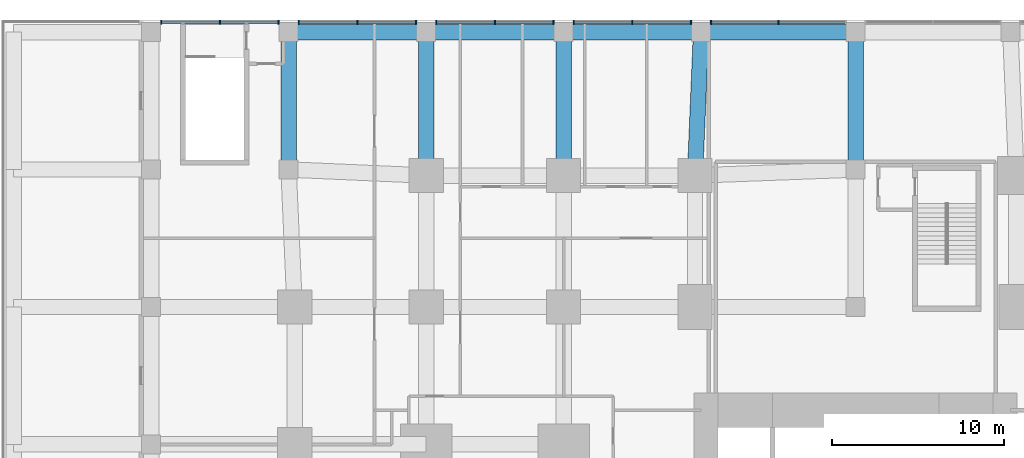
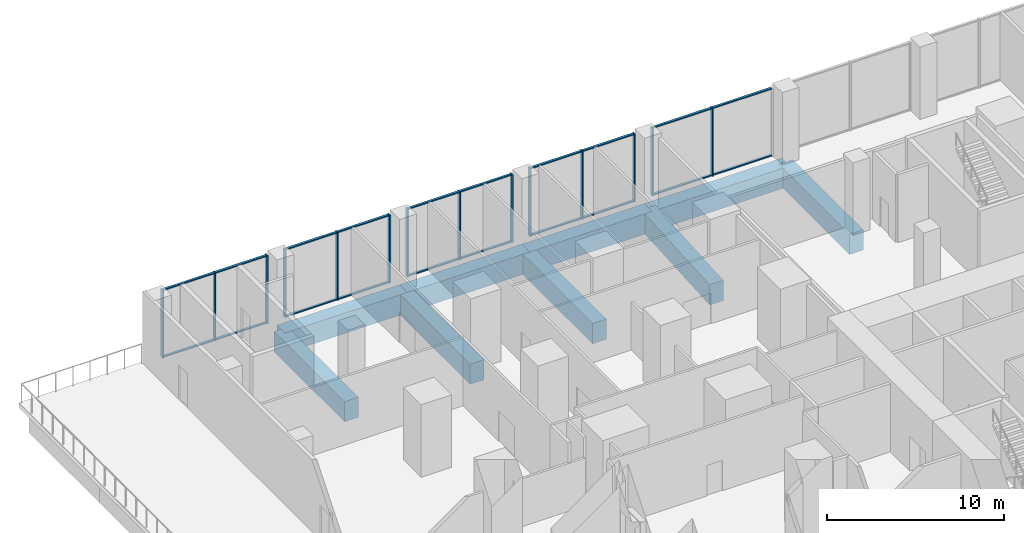
# One storey, part 3 of 19: 34 members, 9 beams, 5 elements without a shape of their own.
"""IFC4 building model written with IfcOpenShell, lengths in metres."""

from ifc_helpers import new_model, si_unit, direction, frame, origin, origin_2d, place, context, subcontext, project, spatial, rectangle, extrude, material, layer, layer_set, material_profile, profile_set, type_object, element, aggregate, save


model = new_model("IFC4")

# Units and contexts
model_context = context("Model", 3, precision=1e-05, world=origin(), true_north=direction((0.0, 1.0)))
body_context = subcontext(model_context, "Body", "Model", "MODEL_VIEW")
ifc_project = project(units=[si_unit("LENGTHUNIT", "METRE"), si_unit("AREAUNIT", "SQUARE_METRE"), si_unit("VOLUMEUNIT", "CUBIC_METRE"), si_unit("PLANEANGLEUNIT", "RADIAN"), si_unit("MASSUNIT", "GRAM", prefix="KILO")], contexts=[model_context])

# Site, building, storey
site_placement = place(None, origin())
site = spatial("IfcSite", under=ifc_project, at=site_placement, CompositionType="ELEMENT")
building_placement = place(site_placement, origin())
building = spatial("IfcBuilding", under=site, at=building_placement, Name="Cleftline Residences", CompositionType="ELEMENT")
storey_placement = place(building_placement, frame((0.0, 0.0, 11.0)))
storey = spatial("IfcBuildingStorey", under=building, at=storey_placement, Name="L02", CompositionType="ELEMENT", Elevation=11.0)

# Beams
ifc_material_1 = material(Name="Concrete B45", Category="concrete")
ifc_material_profile_1 = material_profile(ifc_material_1, rectangle(XDim=0.89990234375, YDim=1.39990234375, at=origin_2d()))
ifc_profile_set_1 = profile_set([ifc_material_profile_1], Name="Concrete B45")
beam_type = type_object("IfcBeamType", Name="BEAM RC900X1400", PredefinedType="BEAM", material=ifc_profile_set_1)
for number, where, z_axis, x_axis, name in (
    (1, (0.0, 56.0, -1.0), (1.0, 0.0, 0.0), (0.0, 1.0, 0.0), "Podium beam"),
    (2, (8.0, 56.0, -1.0), (1.0, 0.0, 0.0), (0.0, 1.0, 0.0), "Podium beam"),
    (3, (16.0, 56.0, -1.0), (1.0, 0.0, 0.0), (0.0, 1.0, 0.0), "Podium beam"),
):
    element("IfcBeam", number, at=place(storey_placement, frame(where, z_axis=z_axis, x_axis=x_axis)), inside=storey, type_object=beam_type, Name=name, PredefinedType="BEAM", context=body_context, shape_type="SweptSolid", body=[
        extrude(rectangle(XDim=0.89990234375, YDim=1.39990234375, at=origin_2d()), origin(), (0.0, 0.0, 1.0), 8.0),
    ])
beam_1_placement = place(storey_placement, frame((24.0, 56.0, -1.0), z_axis=(1.0, 0.0, 0.0), x_axis=(0.0, 1.0, 0.0)))
element("IfcBeam", 4, at=beam_1_placement, inside=storey, type_object=beam_type, Name="Podium beam", PredefinedType="BEAM", context=body_context, shape_type="SweptSolid", body=[
    extrude(rectangle(XDim=0.89990234375, YDim=1.39990234375, at=origin_2d()), origin(), (0.0, 0.0, 1.0), 9.0),
])
beam_2_placement = place(storey_placement, frame((0.0, 48.0, -1.0), z_axis=(0.0, 1.0, 0.0), x_axis=(-1.0, 0.0, 0.0)))
element("IfcBeam", 5, at=beam_2_placement, inside=storey, type_object=beam_type, Name="Podium beam", PredefinedType="BEAM", context=body_context, shape_type="SweptSolid", body=[
    extrude(rectangle(XDim=0.89990234375, YDim=1.39990234375, at=origin_2d()), origin(), (0.0, 0.0, 1.0), 8.0),
])
for number, where, z_axis, x_axis, name in (
    (6, (8.0, 47.64990234375, -1.0), (0.0, 1.0, 0.0), (-1.0, 0.0, 0.0), "Podium beam"),
    (7, (16.0, 47.64990234375, -1.0), (0.0, 1.0, 0.0), (-1.0, 0.0, 0.0), "Podium beam"),
):
    element("IfcBeam", number, at=place(storey_placement, frame(where, z_axis=z_axis, x_axis=x_axis)), inside=storey, type_object=beam_type, Name=name, PredefinedType="BEAM", context=body_context, shape_type="SweptSolid", body=[
        extrude(rectangle(XDim=0.89990234375, YDim=1.39990234375, at=origin_2d()), origin(), (0.0, 0.0, 1.0), 8.35009765625),
    ])
beam_3_placement = place(storey_placement, frame((23.64990234375, 47.64990234375, -1.0), z_axis=(0.041890569024, 0.999122204851, 0.0), x_axis=(-0.999122204851, 0.041890569024, 0.0)))
element("IfcBeam", 8, at=beam_3_placement, inside=storey, type_object=beam_type, Name="Podium beam", PredefinedType="BEAM", context=body_context, shape_type="SweptSolid", body=[
    extrude(rectangle(XDim=0.89990234375, YDim=1.39990234375, at=origin_2d()), origin(), (0.0, 0.0, 1.0), 8.357421875),
])
beam_4_placement = place(storey_placement, frame((33.0, 48.0, -1.0), z_axis=(0.0, 1.0, 0.0), x_axis=(-1.0, 0.0, 0.0)))
element("IfcBeam", 9, at=beam_4_placement, inside=storey, type_object=beam_type, Name="Podium beam", PredefinedType="BEAM", context=body_context, shape_type="SweptSolid", body=[
    extrude(rectangle(XDim=0.89990234375, YDim=1.39990234375, at=origin_2d()), origin(), (0.0, 0.0, 1.0), 8.0),
])

# Curtain wall, members
ifc_material_2 = material(Name="Aluminium framed curtain wall", Category="aluminium")
ifc_layer = layer(ifc_material_2, 0.199951171875)
ifc_layer_set = layer_set([ifc_layer], Name="CW2 PODIUM GLAZING")
curtain_wall_type = type_object("IfcCurtainWallType", Name="CW2 PODIUM GLAZING", PredefinedType="NOTDEFINED", material=ifc_layer_set)
curtain_wall_1_placement = place(storey_placement, origin())
curtain_wall_1 = element("IfcCurtainWall", 10, at=curtain_wall_1_placement, inside=storey, type_object=curtain_wall_type, Name="Curtain wall CW2", PredefinedType="NOTDEFINED")
ifc_material_3 = material(Name="Aluminium mullion", Category="aluminium")
ifc_material_profile_2 = material_profile(ifc_material_3, rectangle(XDim=0.25, YDim=0.080078125, at=origin_2d()))
ifc_profile_set_2 = profile_set([ifc_material_profile_2], Name="Aluminium mullion")
member_type_1 = type_object("IfcMemberType", Name="CW2 MULLION", PredefinedType="MULLION", material=ifc_profile_set_2)
member_1_placement = place(storey_placement, frame((28.5, 56.574951171875, 0.0), z_axis=(0.0, 0.0, 1.0), x_axis=(0.0, -1.0, 0.0)))
member_1 = element("IfcMember", 11, at=member_1_placement, type_object=member_type_1, Name="CW2 mullion 2", PredefinedType="MULLION", context=body_context, shape_type="SweptSolid", body=[
    extrude(rectangle(XDim=0.25, YDim=0.080078125, at=origin_2d()), origin(), (0.0, 0.0, 1.0), 4.699951171875),
])
member_2_placement = place(storey_placement, frame((24.590087890625, 56.574951171875, 0.0), z_axis=(0.0, 0.0, 1.0), x_axis=(0.0, -1.0, 0.0)))
member_2 = element("IfcMember", 12, at=member_2_placement, type_object=member_type_1, Name="CW2 mullion 3", PredefinedType="MULLION", context=body_context, shape_type="SweptSolid", body=[
    extrude(rectangle(XDim=0.25, YDim=0.080078125, at=origin_2d()), origin(), (0.0, 0.0, 1.0), 4.699951171875),
])

curtain_wall_2_placement = place(storey_placement, origin())
curtain_wall_2 = element("IfcCurtainWall", 13, at=curtain_wall_2_placement, inside=storey, type_object=curtain_wall_type, Name="Curtain wall CW2", PredefinedType="NOTDEFINED")
member_3_placement = place(storey_placement, frame((23.409912109375, 56.574951171875, 0.0), z_axis=(0.0, 0.0, 1.0), x_axis=(0.0, -1.0, 0.0)))
member_3 = element("IfcMember", 14, at=member_3_placement, type_object=member_type_1, Name="CW2 mullion 1", PredefinedType="MULLION", context=body_context, shape_type="SweptSolid", body=[
    extrude(rectangle(XDim=0.25, YDim=0.080078125, at=origin_2d()), origin(), (0.0, 0.0, 1.0), 4.699951171875),
])
member_4_placement = place(storey_placement, frame((20.0, 56.574951171875, 0.0), z_axis=(0.0, 0.0, 1.0), x_axis=(0.0, -1.0, 0.0)))
member_4 = element("IfcMember", 15, at=member_4_placement, type_object=member_type_1, Name="CW2 mullion 2", PredefinedType="MULLION", context=body_context, shape_type="SweptSolid", body=[
    extrude(rectangle(XDim=0.25, YDim=0.080078125, at=origin_2d()), origin(), (0.0, 0.0, 1.0), 4.699951171875),
])
member_5_placement = place(storey_placement, frame((16.590087890625, 56.574951171875, 0.0), z_axis=(0.0, 0.0, 1.0), x_axis=(0.0, -1.0, 0.0)))
member_5 = element("IfcMember", 16, at=member_5_placement, type_object=member_type_1, Name="CW2 mullion 3", PredefinedType="MULLION", context=body_context, shape_type="SweptSolid", body=[
    extrude(rectangle(XDim=0.25, YDim=0.080078125, at=origin_2d()), origin(), (0.0, 0.0, 1.0), 4.699951171875),
])

curtain_wall_3_placement = place(storey_placement, origin())
curtain_wall_3 = element("IfcCurtainWall", 17, at=curtain_wall_3_placement, inside=storey, type_object=curtain_wall_type, Name="Curtain wall CW2", PredefinedType="NOTDEFINED")
member_6_placement = place(storey_placement, frame((15.409912109375, 56.574951171875, 0.0), z_axis=(0.0, 0.0, 1.0), x_axis=(0.0, -1.0, 0.0)))
member_6 = element("IfcMember", 18, at=member_6_placement, type_object=member_type_1, Name="CW2 mullion 1", PredefinedType="MULLION", context=body_context, shape_type="SweptSolid", body=[
    extrude(rectangle(XDim=0.25, YDim=0.080078125, at=origin_2d()), origin(), (0.0, 0.0, 1.0), 4.699951171875),
])
member_7_placement = place(storey_placement, frame((12.0, 56.574951171875, 0.0), z_axis=(0.0, 0.0, 1.0), x_axis=(0.0, -1.0, 0.0)))
member_7 = element("IfcMember", 19, at=member_7_placement, type_object=member_type_1, Name="CW2 mullion 2", PredefinedType="MULLION", context=body_context, shape_type="SweptSolid", body=[
    extrude(rectangle(XDim=0.25, YDim=0.080078125, at=origin_2d()), origin(), (0.0, 0.0, 1.0), 4.699951171875),
])
member_8_placement = place(storey_placement, frame((8.590087890625, 56.574951171875, 0.0), z_axis=(0.0, 0.0, 1.0), x_axis=(0.0, -1.0, 0.0)))
member_8 = element("IfcMember", 20, at=member_8_placement, type_object=member_type_1, Name="CW2 mullion 3", PredefinedType="MULLION", context=body_context, shape_type="SweptSolid", body=[
    extrude(rectangle(XDim=0.25, YDim=0.080078125, at=origin_2d()), origin(), (0.0, 0.0, 1.0), 4.699951171875),
])

curtain_wall_4_placement = place(storey_placement, origin())
curtain_wall_4 = element("IfcCurtainWall", 21, at=curtain_wall_4_placement, inside=storey, type_object=curtain_wall_type, Name="Curtain wall CW2", PredefinedType="NOTDEFINED")
member_9_placement = place(storey_placement, frame((7.409912109375, 56.574951171875, 0.0), z_axis=(0.0, 0.0, 1.0), x_axis=(0.0, -1.0, 0.0)))
member_9 = element("IfcMember", 22, at=member_9_placement, type_object=member_type_1, Name="CW2 mullion 1", PredefinedType="MULLION", context=body_context, shape_type="SweptSolid", body=[
    extrude(rectangle(XDim=0.25, YDim=0.080078125, at=origin_2d()), origin(), (0.0, 0.0, 1.0), 4.699951171875),
])
member_10_placement = place(storey_placement, frame((4.0, 56.574951171875, 0.0), z_axis=(0.0, 0.0, 1.0), x_axis=(0.0, -1.0, 0.0)))
member_10 = element("IfcMember", 23, at=member_10_placement, type_object=member_type_1, Name="CW2 mullion 2", PredefinedType="MULLION", context=body_context, shape_type="SweptSolid", body=[
    extrude(rectangle(XDim=0.25, YDim=0.080078125, at=origin_2d()), origin(), (0.0, 0.0, 1.0), 4.699951171875),
])
member_11_placement = place(storey_placement, frame((0.590087890625, 56.574951171875, 0.0), z_axis=(0.0, 0.0, 1.0), x_axis=(0.0, -1.0, 0.0)))
member_11 = element("IfcMember", 24, at=member_11_placement, type_object=member_type_1, Name="CW2 mullion 3", PredefinedType="MULLION", context=body_context, shape_type="SweptSolid", body=[
    extrude(rectangle(XDim=0.25, YDim=0.080078125, at=origin_2d()), origin(), (0.0, 0.0, 1.0), 4.699951171875),
])

curtain_wall_5_placement = place(storey_placement, origin())
curtain_wall_5 = element("IfcCurtainWall", 25, at=curtain_wall_5_placement, inside=storey, type_object=curtain_wall_type, Name="Curtain wall CW2", PredefinedType="NOTDEFINED")
member_12_placement = place(storey_placement, frame((-0.590087890625, 56.574951171875, 0.0), z_axis=(0.0, 0.0, 1.0), x_axis=(0.0, -1.0, 0.0)))
member_12 = element("IfcMember", 26, at=member_12_placement, type_object=member_type_1, Name="CW2 mullion 1", PredefinedType="MULLION", context=body_context, shape_type="SweptSolid", body=[
    extrude(rectangle(XDim=0.25, YDim=0.080078125, at=origin_2d()), origin(), (0.0, 0.0, 1.0), 4.699951171875),
])
member_13_placement = place(storey_placement, frame((-4.0, 56.574951171875, 0.0), z_axis=(0.0, 0.0, 1.0), x_axis=(0.0, -1.0, 0.0)))
member_13 = element("IfcMember", 27, at=member_13_placement, type_object=member_type_1, Name="CW2 mullion 2", PredefinedType="MULLION", context=body_context, shape_type="SweptSolid", body=[
    extrude(rectangle(XDim=0.25, YDim=0.080078125, at=origin_2d()), origin(), (0.0, 0.0, 1.0), 4.699951171875),
])
member_14_placement = place(storey_placement, frame((-7.409912109375, 56.574951171875, 0.0), z_axis=(0.0, 0.0, 1.0), x_axis=(0.0, -1.0, 0.0)))
member_14 = element("IfcMember", 28, at=member_14_placement, type_object=member_type_1, Name="CW2 mullion 3", PredefinedType="MULLION", context=body_context, shape_type="SweptSolid", body=[
    extrude(rectangle(XDim=0.25, YDim=0.080078125, at=origin_2d()), origin(), (0.0, 0.0, 1.0), 4.699951171875),
])

# Member
ifc_material_4 = material(Name="Aluminium transom", Category="aluminium")
ifc_material_profile_3 = material_profile(ifc_material_4, rectangle(XDim=0.14990234375, YDim=0.080078125, at=origin_2d()))
ifc_profile_set_3 = profile_set([ifc_material_profile_3], Name="Aluminium transom")
member_type_2 = type_object("IfcMemberType", Name="CW2 TRANSOM", PredefinedType="USERDEFINED", material=ifc_profile_set_3)
member_15_placement = place(storey_placement, frame((32.3701171875, 56.574951171875, 0.0400390625), z_axis=(-1.0, 0.0, 0.0), x_axis=(0.0, -1.0, 0.0)))
member_15 = element("IfcMember", 29, at=member_15_placement, type_object=member_type_2, Name="CW2 transom 1.1", ObjectType="TRANSOM", PredefinedType="USERDEFINED", context=body_context, shape_type="SweptSolid", body=[
    extrude(rectangle(XDim=0.14990234375, YDim=0.080078125, at=origin_2d()), origin(), (0.0, 0.0, 1.0), 3.830078125),
])

member_16_placement = place(storey_placement, frame((32.3701171875, 56.574951171875, 4.659912109375), z_axis=(-1.0, 0.0, 0.0), x_axis=(0.0, -1.0, 0.0)))
member_16 = element("IfcMember", 30, at=member_16_placement, type_object=member_type_2, Name="CW2 transom 1.2", ObjectType="TRANSOM", PredefinedType="USERDEFINED", context=body_context, shape_type="SweptSolid", body=[
    extrude(rectangle(XDim=0.14990234375, YDim=0.080078125, at=origin_2d()), origin(), (0.0, 0.0, 1.0), 3.830078125),
])

member_17_placement = place(storey_placement, frame((28.4599609375, 56.574951171875, 0.0400390625), z_axis=(-1.0, 0.0, 0.0), x_axis=(0.0, -1.0, 0.0)))
member_17 = element("IfcMember", 31, at=member_17_placement, type_object=member_type_2, Name="CW2 transom 2.1", ObjectType="TRANSOM", PredefinedType="USERDEFINED", context=body_context, shape_type="SweptSolid", body=[
    extrude(rectangle(XDim=0.14990234375, YDim=0.080078125, at=origin_2d()), origin(), (0.0, 0.0, 1.0), 3.830078125),
])

member_18_placement = place(storey_placement, frame((28.4599609375, 56.574951171875, 4.659912109375), z_axis=(-1.0, 0.0, 0.0), x_axis=(0.0, -1.0, 0.0)))
member_18 = element("IfcMember", 32, at=member_18_placement, type_object=member_type_2, Name="CW2 transom 2.2", ObjectType="TRANSOM", PredefinedType="USERDEFINED", context=body_context, shape_type="SweptSolid", body=[
    extrude(rectangle(XDim=0.14990234375, YDim=0.080078125, at=origin_2d()), origin(), (0.0, 0.0, 1.0), 3.830078125),
])

aggregate(curtain_wall_1, [member_1, member_2, member_15, member_16, member_17, member_18])

member_19_placement = place(storey_placement, frame((23.3701171875, 56.574951171875, 0.0400390625), z_axis=(-1.0, 0.0, 0.0), x_axis=(0.0, -1.0, 0.0)))
member_19 = element("IfcMember", 33, at=member_19_placement, type_object=member_type_2, Name="CW2 transom 1.1", ObjectType="TRANSOM", PredefinedType="USERDEFINED", context=body_context, shape_type="SweptSolid", body=[
    extrude(rectangle(XDim=0.14990234375, YDim=0.080078125, at=origin_2d()), origin(), (0.0, 0.0, 1.0), 3.330078125),
])

member_20_placement = place(storey_placement, frame((23.3701171875, 56.574951171875, 4.659912109375), z_axis=(-1.0, 0.0, 0.0), x_axis=(0.0, -1.0, 0.0)))
member_20 = element("IfcMember", 34, at=member_20_placement, type_object=member_type_2, Name="CW2 transom 1.2", ObjectType="TRANSOM", PredefinedType="USERDEFINED", context=body_context, shape_type="SweptSolid", body=[
    extrude(rectangle(XDim=0.14990234375, YDim=0.080078125, at=origin_2d()), origin(), (0.0, 0.0, 1.0), 3.330078125),
])

member_21_placement = place(storey_placement, frame((19.9599609375, 56.574951171875, 0.0400390625), z_axis=(-1.0, 0.0, 0.0), x_axis=(0.0, -1.0, 0.0)))
member_21 = element("IfcMember", 35, at=member_21_placement, type_object=member_type_2, Name="CW2 transom 2.1", ObjectType="TRANSOM", PredefinedType="USERDEFINED", context=body_context, shape_type="SweptSolid", body=[
    extrude(rectangle(XDim=0.14990234375, YDim=0.080078125, at=origin_2d()), origin(), (0.0, 0.0, 1.0), 3.330078125),
])

member_22_placement = place(storey_placement, frame((19.9599609375, 56.574951171875, 4.659912109375), z_axis=(-1.0, 0.0, 0.0), x_axis=(0.0, -1.0, 0.0)))
member_22 = element("IfcMember", 36, at=member_22_placement, type_object=member_type_2, Name="CW2 transom 2.2", ObjectType="TRANSOM", PredefinedType="USERDEFINED", context=body_context, shape_type="SweptSolid", body=[
    extrude(rectangle(XDim=0.14990234375, YDim=0.080078125, at=origin_2d()), origin(), (0.0, 0.0, 1.0), 3.330078125),
])

aggregate(curtain_wall_2, [member_3, member_4, member_5, member_19, member_20, member_21, member_22])

member_23_placement = place(storey_placement, frame((15.3701171875, 56.574951171875, 0.0400390625), z_axis=(-1.0, 0.0, 0.0), x_axis=(0.0, -1.0, 0.0)))
member_23 = element("IfcMember", 37, at=member_23_placement, type_object=member_type_2, Name="CW2 transom 1.1", ObjectType="TRANSOM", PredefinedType="USERDEFINED", context=body_context, shape_type="SweptSolid", body=[
    extrude(rectangle(XDim=0.14990234375, YDim=0.080078125, at=origin_2d()), origin(), (0.0, 0.0, 1.0), 3.330078125),
])

member_24_placement = place(storey_placement, frame((15.3701171875, 56.574951171875, 4.659912109375), z_axis=(-1.0, 0.0, 0.0), x_axis=(0.0, -1.0, 0.0)))
member_24 = element("IfcMember", 38, at=member_24_placement, type_object=member_type_2, Name="CW2 transom 1.2", ObjectType="TRANSOM", PredefinedType="USERDEFINED", context=body_context, shape_type="SweptSolid", body=[
    extrude(rectangle(XDim=0.14990234375, YDim=0.080078125, at=origin_2d()), origin(), (0.0, 0.0, 1.0), 3.330078125),
])

member_25_placement = place(storey_placement, frame((11.9599609375, 56.574951171875, 0.0400390625), z_axis=(-1.0, 0.0, 0.0), x_axis=(0.0, -1.0, 0.0)))
member_25 = element("IfcMember", 39, at=member_25_placement, type_object=member_type_2, Name="CW2 transom 2.1", ObjectType="TRANSOM", PredefinedType="USERDEFINED", context=body_context, shape_type="SweptSolid", body=[
    extrude(rectangle(XDim=0.14990234375, YDim=0.080078125, at=origin_2d()), origin(), (0.0, 0.0, 1.0), 3.330078125),
])

member_26_placement = place(storey_placement, frame((11.9599609375, 56.574951171875, 4.659912109375), z_axis=(-1.0, 0.0, 0.0), x_axis=(0.0, -1.0, 0.0)))
member_26 = element("IfcMember", 40, at=member_26_placement, type_object=member_type_2, Name="CW2 transom 2.2", ObjectType="TRANSOM", PredefinedType="USERDEFINED", context=body_context, shape_type="SweptSolid", body=[
    extrude(rectangle(XDim=0.14990234375, YDim=0.080078125, at=origin_2d()), origin(), (0.0, 0.0, 1.0), 3.330078125),
])

aggregate(curtain_wall_3, [member_6, member_7, member_8, member_23, member_24, member_25, member_26])

member_27_placement = place(storey_placement, frame((7.3701171875, 56.574951171875, 0.0400390625), z_axis=(-1.0, 0.0, 0.0), x_axis=(0.0, -1.0, 0.0)))
member_27 = element("IfcMember", 41, at=member_27_placement, type_object=member_type_2, Name="CW2 transom 1.1", ObjectType="TRANSOM", PredefinedType="USERDEFINED", context=body_context, shape_type="SweptSolid", body=[
    extrude(rectangle(XDim=0.14990234375, YDim=0.080078125, at=origin_2d()), origin(), (0.0, 0.0, 1.0), 3.330078125),
])

member_28_placement = place(storey_placement, frame((7.3701171875, 56.574951171875, 4.659912109375), z_axis=(-1.0, 0.0, 0.0), x_axis=(0.0, -1.0, 0.0)))
member_28 = element("IfcMember", 42, at=member_28_placement, type_object=member_type_2, Name="CW2 transom 1.2", ObjectType="TRANSOM", PredefinedType="USERDEFINED", context=body_context, shape_type="SweptSolid", body=[
    extrude(rectangle(XDim=0.14990234375, YDim=0.080078125, at=origin_2d()), origin(), (0.0, 0.0, 1.0), 3.330078125),
])

member_29_placement = place(storey_placement, frame((3.9599609375, 56.574951171875, 0.0400390625), z_axis=(-1.0, 0.0, 0.0), x_axis=(0.0, -1.0, 0.0)))
member_29 = element("IfcMember", 43, at=member_29_placement, type_object=member_type_2, Name="CW2 transom 2.1", ObjectType="TRANSOM", PredefinedType="USERDEFINED", context=body_context, shape_type="SweptSolid", body=[
    extrude(rectangle(XDim=0.14990234375, YDim=0.080078125, at=origin_2d()), origin(), (0.0, 0.0, 1.0), 3.330078125),
])

member_30_placement = place(storey_placement, frame((3.9599609375, 56.574951171875, 4.659912109375), z_axis=(-1.0, 0.0, 0.0), x_axis=(0.0, -1.0, 0.0)))
member_30 = element("IfcMember", 44, at=member_30_placement, type_object=member_type_2, Name="CW2 transom 2.2", ObjectType="TRANSOM", PredefinedType="USERDEFINED", context=body_context, shape_type="SweptSolid", body=[
    extrude(rectangle(XDim=0.14990234375, YDim=0.080078125, at=origin_2d()), origin(), (0.0, 0.0, 1.0), 3.330078125),
])

aggregate(curtain_wall_4, [member_9, member_10, member_11, member_27, member_28, member_29, member_30])

member_31_placement = place(storey_placement, frame((-0.6298828125, 56.574951171875, 0.0400390625), z_axis=(-1.0, 0.0, 0.0), x_axis=(0.0, -1.0, 0.0)))
member_31 = element("IfcMember", 45, at=member_31_placement, type_object=member_type_2, Name="CW2 transom 1.1", ObjectType="TRANSOM", PredefinedType="USERDEFINED", context=body_context, shape_type="SweptSolid", body=[
    extrude(rectangle(XDim=0.14990234375, YDim=0.080078125, at=origin_2d()), origin(), (0.0, 0.0, 1.0), 3.330078125),
])

member_32_placement = place(storey_placement, frame((-0.6298828125, 56.574951171875, 4.659912109375), z_axis=(-1.0, 0.0, 0.0), x_axis=(0.0, -1.0, 0.0)))
member_32 = element("IfcMember", 46, at=member_32_placement, type_object=member_type_2, Name="CW2 transom 1.2", ObjectType="TRANSOM", PredefinedType="USERDEFINED", context=body_context, shape_type="SweptSolid", body=[
    extrude(rectangle(XDim=0.14990234375, YDim=0.080078125, at=origin_2d()), origin(), (0.0, 0.0, 1.0), 3.330078125),
])

member_33_placement = place(storey_placement, frame((-4.0400390625, 56.574951171875, 0.0400390625), z_axis=(-1.0, 0.0, 0.0), x_axis=(0.0, -1.0, 0.0)))
member_33 = element("IfcMember", 47, at=member_33_placement, type_object=member_type_2, Name="CW2 transom 2.1", ObjectType="TRANSOM", PredefinedType="USERDEFINED", context=body_context, shape_type="SweptSolid", body=[
    extrude(rectangle(XDim=0.14990234375, YDim=0.080078125, at=origin_2d()), origin(), (0.0, 0.0, 1.0), 3.330078125),
])

member_34_placement = place(storey_placement, frame((-4.0400390625, 56.574951171875, 4.659912109375), z_axis=(-1.0, 0.0, 0.0), x_axis=(0.0, -1.0, 0.0)))
member_34 = element("IfcMember", 48, at=member_34_placement, type_object=member_type_2, Name="CW2 transom 2.2", ObjectType="TRANSOM", PredefinedType="USERDEFINED", context=body_context, shape_type="SweptSolid", body=[
    extrude(rectangle(XDim=0.14990234375, YDim=0.080078125, at=origin_2d()), origin(), (0.0, 0.0, 1.0), 3.330078125),
])

aggregate(curtain_wall_5, [member_12, member_13, member_14, member_31, member_32, member_33, member_34])

save(model, "model.ifc")
